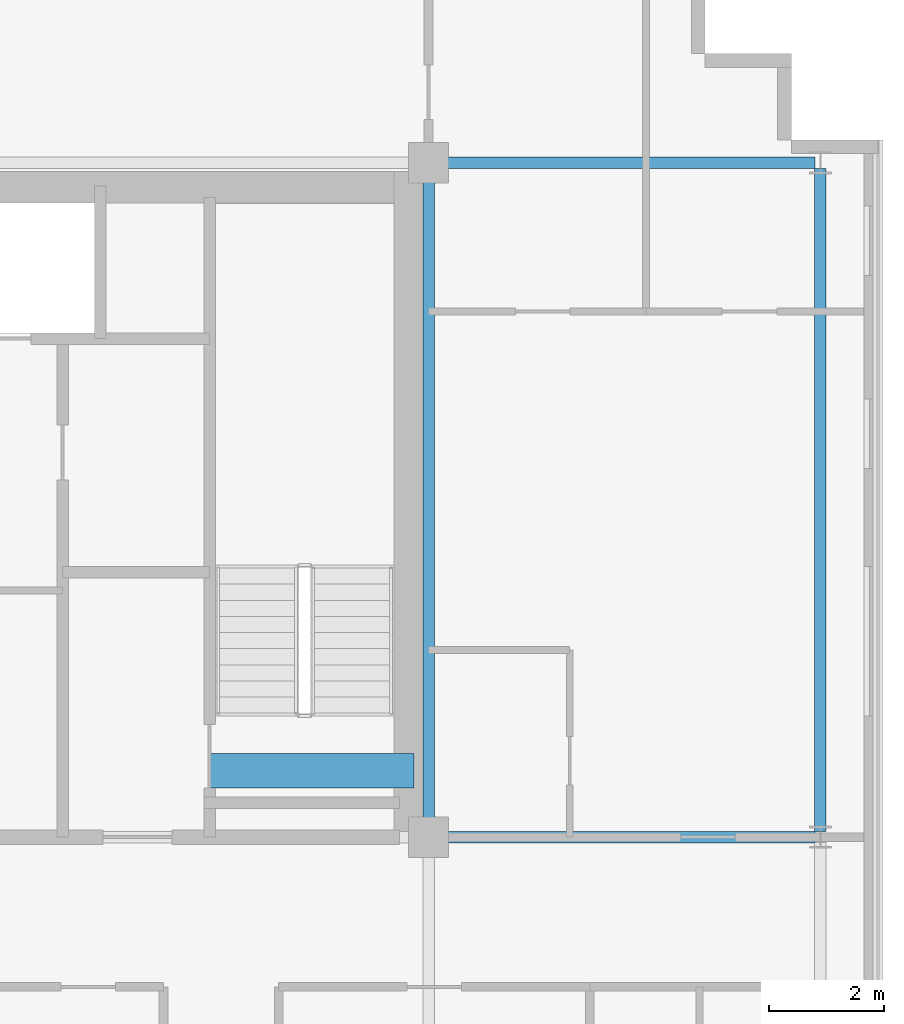
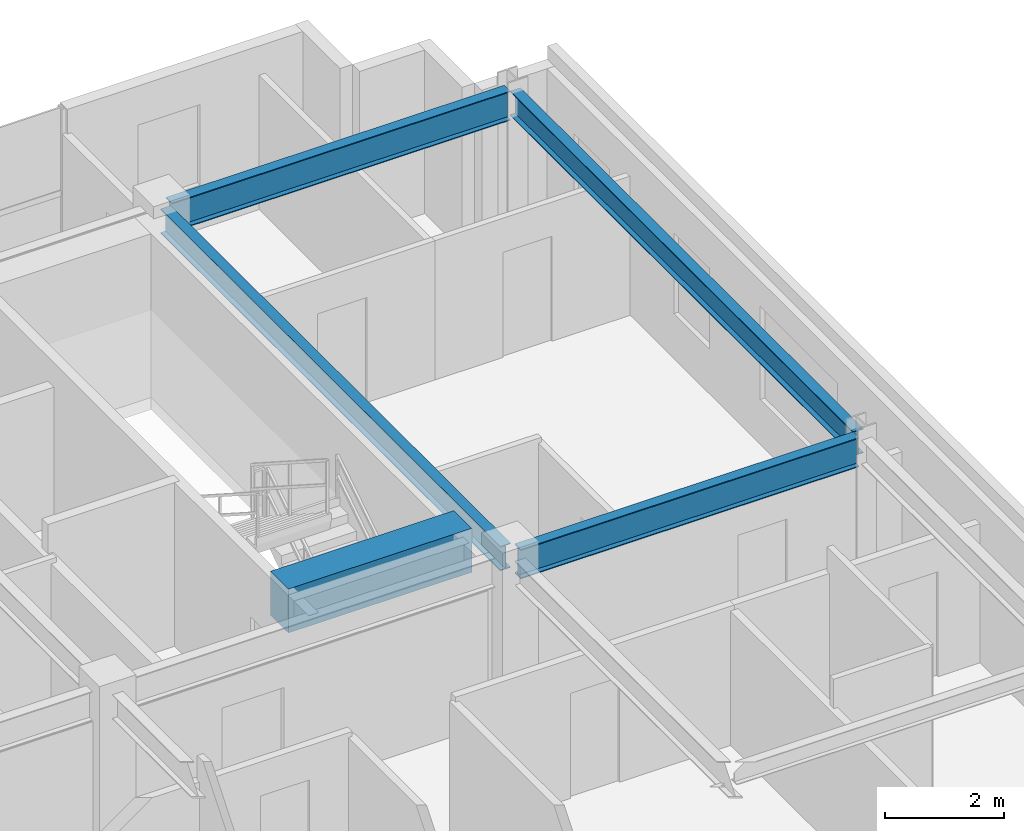
# One storey, part 11 of 21: 5 beams.
"""IFC4 building model written with IfcOpenShell, lengths in metres."""

from ifc_helpers import new_model, si_unit, direction, frame, origin, origin_2d, place, context, subcontext, project, spatial, rectangle, i_section, extrude, source, transform, mapped, material, material_profile, profile_set, type_object, element, save


model = new_model("IFC4")

# Units and contexts
model_context = context("Model", 3, precision=1e-05, world=origin(), true_north=direction((0.0, 1.0)))
body_context = subcontext(model_context, "Body", "Model", "MODEL_VIEW")
ifc_project = project(units=[si_unit("LENGTHUNIT", "METRE"), si_unit("AREAUNIT", "SQUARE_METRE"), si_unit("VOLUMEUNIT", "CUBIC_METRE"), si_unit("PLANEANGLEUNIT", "RADIAN"), si_unit("MASSUNIT", "GRAM", prefix="KILO")], contexts=[model_context])

# Site, building, storey
site_placement = place(None, origin())
site = spatial("IfcSite", under=ifc_project, at=site_placement, CompositionType="ELEMENT")
building_placement = place(site_placement, origin())
building = spatial("IfcBuilding", under=site, at=building_placement, Name="Trelvane Seafront Commons", CompositionType="ELEMENT")
storey_placement = place(building_placement, frame((0.0, 0.0, 160.89990234375)))
storey = spatial("IfcBuildingStorey", under=building, at=storey_placement, Name="L42", CompositionType="ELEMENT", Elevation=160.89990234375)

# Beams
ifc_material_1 = material(Name="Concrete C60/75", Category="concrete")
ifc_material_profile_1 = material_profile(ifc_material_1, rectangle(XDim=0.60009765625, YDim=0.89990234375, at=origin_2d()), Name="RC-600x900")
ifc_profile_set_1 = profile_set([ifc_material_profile_1], Name="Concrete C60/75")
beam_type_1 = type_object("IfcBeamType", Name="STR-LNT-RC600x900", PredefinedType="LINTEL", material=ifc_profile_set_1)
shared_shape_1 = source(origin(), body_context, "Body", "SweptSolid", [
    extrude(rectangle(XDim=0.60009765625, YDim=0.89990234375, at=origin_2d()), origin(), (0.0, 0.0, 1.0), 3.550048828125),
])
beam_1_placement = place(storey_placement, frame((55.0, 34.550048828125, 2.900146484375), z_axis=(1.0, 0.0, 0.0), x_axis=(0.0, 1.0, 0.0)))
element("IfcBeam", 1, at=beam_1_placement, inside=storey, type_object=beam_type_1, Name="L42 Core Coupling Lintel Beam CB-68", PredefinedType="LINTEL", context=body_context, shape_type="MappedRepresentation", body=[
    mapped(shared_shape_1, transform((0.0, 0.0, 0.0), x_axis=(1.0, 0.0, 0.0), y_axis=(0.0, 1.0, 0.0), z_axis=(0.0, 0.0, 1.0), scale=1.0)),
])
ifc_material_2 = material(Name="Steel SM355 (S355)", Category="steel")
ifc_material_profile_2 = material_profile(ifc_material_2, i_section(OverallWidth=0.199951171875, OverallDepth=0.5, WebThickness=0.010009765625, FlangeThickness=0.01611328125, at=origin_2d()), Name="H-500x200x10x16")
ifc_profile_set_2 = profile_set([ifc_material_profile_2], Name="Steel SM355 (S355)")
beam_type_2 = type_object("IfcBeamType", Name="STR-BM-H500", PredefinedType="BEAM", material=ifc_profile_set_2)
shared_shape_2 = source(origin(), body_context, "Body", "SweptSolid", [
    extrude(i_section(OverallWidth=0.199951171875, OverallDepth=0.5, WebThickness=0.010009765625, FlangeThickness=0.01611328125, at=origin_2d()), origin(), (0.0, 0.0, 1.0), 11.39990234375),
])
beam_2_placement = place(storey_placement, frame((58.800048828125, 33.550048828125, 3.10009765625), z_axis=(0.0, 1.0, 0.0), x_axis=(-1.0, 0.0, 0.0)))
element("IfcBeam", 2, at=beam_2_placement, inside=storey, type_object=beam_type_2, Name="L42 Primary Girder G-49", PredefinedType="BEAM", context=body_context, shape_type="MappedRepresentation", body=[
    mapped(shared_shape_2, transform((0.0, 0.0, 0.0), x_axis=(1.0, 0.0, 0.0), y_axis=(0.0, 1.0, 0.0), z_axis=(0.0, 0.0, 1.0), scale=1.0)),
])
ifc_material_profile_3 = material_profile(ifc_material_2, i_section(OverallWidth=0.199951171875, OverallDepth=0.60009765625, WebThickness=0.010986328125, FlangeThickness=0.01708984375, at=origin_2d()), Name="H-600x200x11x17")
ifc_profile_set_3 = profile_set([ifc_material_profile_3], Name="Steel SM355 (S355)")
beam_type_3 = type_object("IfcBeamType", Name="STR-SPD-H600", PredefinedType="SPANDREL", material=ifc_profile_set_3)
shared_shape_3 = source(origin(), body_context, "Body", "SweptSolid", [
    extrude(i_section(OverallWidth=0.199951171875, OverallDepth=0.60009765625, WebThickness=0.010986328125, FlangeThickness=0.01708984375, at=origin_2d()), origin(), (0.0, 0.0, 1.0), 6.554931640625),
])
for number, where, z_axis, x_axis, name in (
    (3, (58.949951171875, 33.39990234375, 3.050048828125), (1.0, 0.0, 0.0), (0.0, 1.0, 0.0), "L42 Primary Girder G-21"),
    (4, (58.949951171875, 45.10009765625, 3.050048828125), (1.0, 0.0, 0.0), (0.0, 1.0, 0.0), "L42 Primary Girder G-28"),
):
    element("IfcBeam", number, at=place(storey_placement, frame(where, z_axis=z_axis, x_axis=x_axis)), inside=storey, type_object=beam_type_3, Name=name, PredefinedType="SPANDREL", context=body_context, shape_type="MappedRepresentation", body=[
        mapped(shared_shape_3, transform((0.0, 0.0, 0.0), x_axis=(1.0, 0.0, 0.0), y_axis=(0.0, 1.0, 0.0), z_axis=(0.0, 0.0, 1.0), scale=1.0)),
    ])
shared_shape_4 = source(origin(), body_context, "Body", "SweptSolid", [
    extrude(i_section(OverallWidth=0.199951171875, OverallDepth=0.5, WebThickness=0.010009765625, FlangeThickness=0.01611328125, at=origin_2d()), origin(), (0.0, 0.0, 1.0), 11.509765625),
])
beam_3_placement = place(storey_placement, frame((65.60009765625, 33.4951171875, 3.10009765625), z_axis=(0.0, 1.0, 0.0), x_axis=(-1.0, 0.0, 0.0)))
element("IfcBeam", 5, at=beam_3_placement, inside=storey, type_object=beam_type_2, Name="L42 Primary Girder G-52", PredefinedType="BEAM", context=body_context, shape_type="MappedRepresentation", body=[
    mapped(shared_shape_4, transform((0.0, 0.0, 0.0), x_axis=(1.0, 0.0, 0.0), y_axis=(0.0, 1.0, 0.0), z_axis=(0.0, 0.0, 1.0), scale=1.0)),
])

save(model, "model.ifc")
